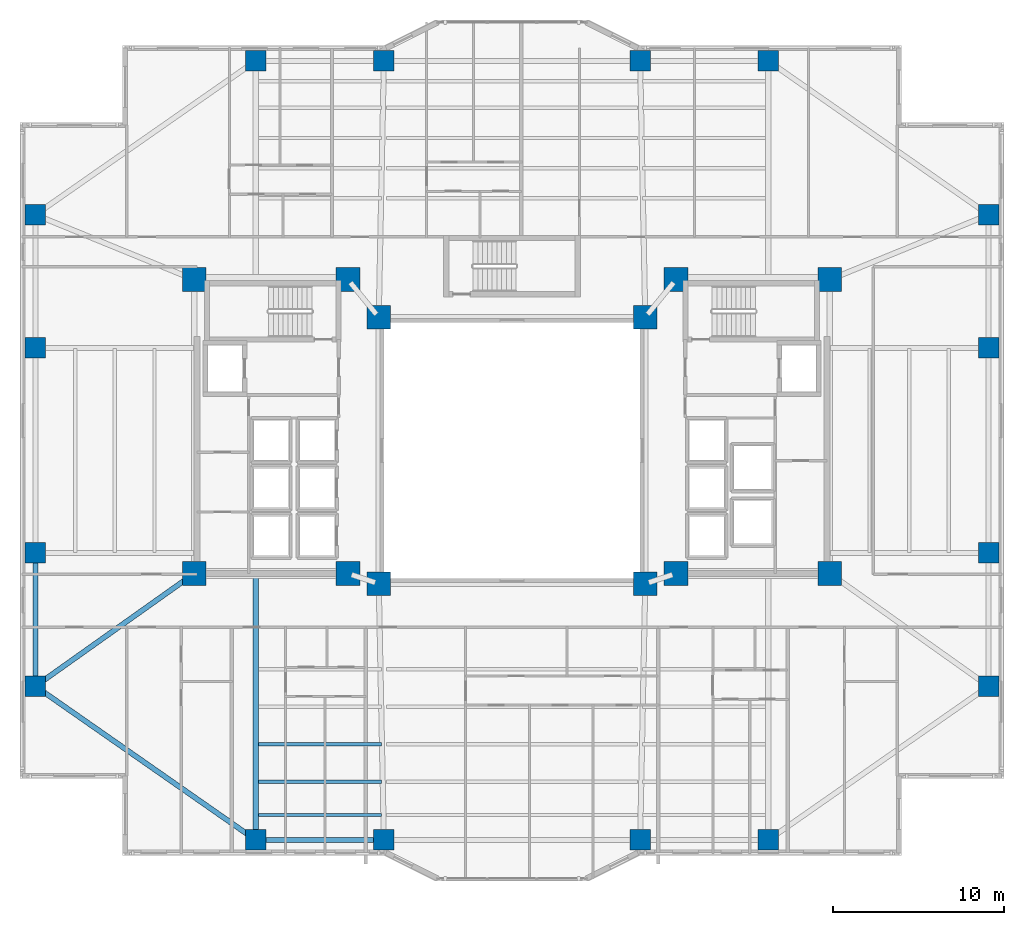
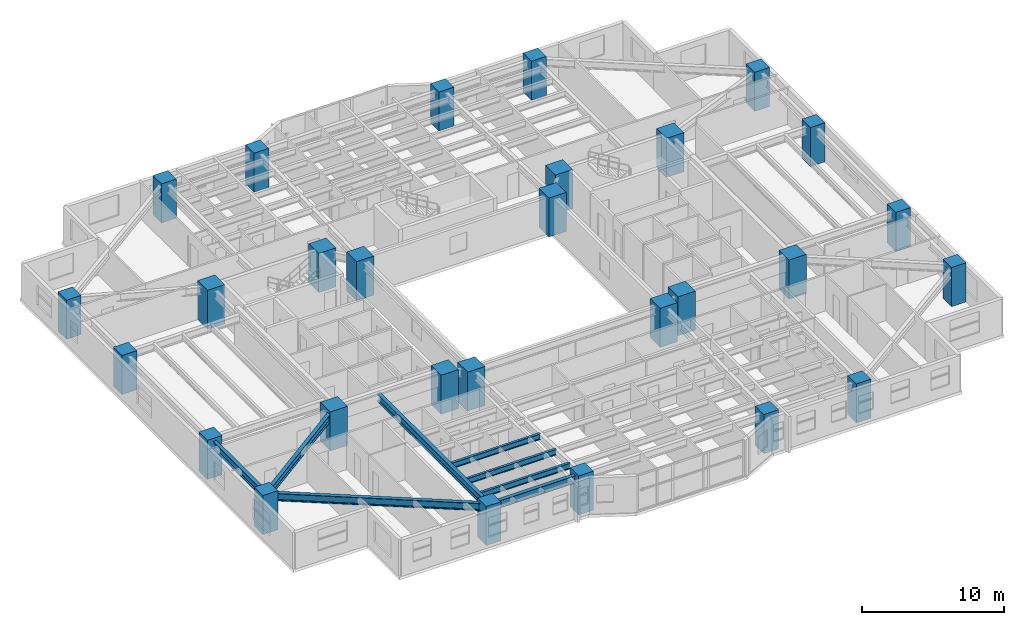
# One storey, part 1 of 21: 28 columns, 8 beams.
"""IFC4 building model written with IfcOpenShell, lengths in metres."""

from ifc_helpers import new_model, si_unit, direction, frame, origin, origin_2d, place, context, subcontext, project, spatial, rectangle, i_section, extrude, material, material_profile, profile_set, type_object, element, save


model = new_model("IFC4")

# Units and contexts
model_context = context("Model", 3, precision=1e-05, world=origin(), true_north=direction((0.0, 1.0)))
body_context = subcontext(model_context, "Body", "Model", "MODEL_VIEW")
ifc_project = project(units=[si_unit("LENGTHUNIT", "METRE"), si_unit("AREAUNIT", "SQUARE_METRE"), si_unit("VOLUMEUNIT", "CUBIC_METRE"), si_unit("PLANEANGLEUNIT", "RADIAN"), si_unit("MASSUNIT", "GRAM", prefix="KILO")], contexts=[model_context])

# Site, building, storey
site_placement = place(None, origin())
site = spatial("IfcSite", under=ifc_project, at=site_placement, CompositionType="ELEMENT")
building_placement = place(site_placement, origin())
building = spatial("IfcBuilding", under=site, at=building_placement, Name="Tarnavaz Court Tower", CompositionType="ELEMENT")
storey_placement = place(building_placement, frame((0.0, 0.0, 40.75)))
storey = spatial("IfcBuildingStorey", under=building, at=storey_placement, Name="L10", CompositionType="ELEMENT", Elevation=40.75)

# Columns
ifc_material_1 = material(Name="Concrete C60/75", Category="concrete")
ifc_material_profile_1 = material_profile(ifc_material_1, rectangle(XDim=1.199951171875, YDim=1.199951171875, at=origin_2d()), Name="RC 1200X1200")
ifc_profile_set_1 = profile_set([ifc_material_profile_1], Name="Concrete C60/75")
column_type_1 = type_object("IfcColumnType", Name="CL-RC1200", PredefinedType="COLUMN", material=ifc_profile_set_1)
for number, where, z_axis, x_axis, name in (
    (1, (-15.0, 22.800048828125, 0.0), (0.0, 0.0, 1.0), (1.0, 0.0, 0.0), "L10 Column PN-1"),
    (2, (-7.5, 22.800048828125, 0.0), (0.0, 0.0, 1.0), (1.0, 0.0, 0.0), "L10 Column PN-2"),
    (3, (7.5, 22.800048828125, 0.0), (0.0, 0.0, 1.0), (1.0, 0.0, 0.0), "L10 Column PN-3"),
    (4, (15.0, 22.800048828125, 0.0), (0.0, 0.0, 1.0), (1.0, 0.0, 0.0), "L10 Column PN-4"),
    (5, (-15.0, -22.800048828125, 0.0), (0.0, 0.0, 1.0), (1.0, 0.0, 0.0), "L10 Column PS-1"),
    (6, (-7.5, -22.800048828125, 0.0), (0.0, 0.0, 1.0), (1.0, 0.0, 0.0), "L10 Column PS-2"),
    (7, (7.5, -22.800048828125, 0.0), (0.0, 0.0, 1.0), (1.0, 0.0, 0.0), "L10 Column PS-3"),
    (8, (15.0, -22.800048828125, 0.0), (0.0, 0.0, 1.0), (1.0, 0.0, 0.0), "L10 Column PS-4"),
    (9, (27.89990234375, -13.800048828125, 0.0), (0.0, 0.0, 1.0), (1.0, 0.0, 0.0), "L10 Column PE-1"),
    (10, (27.89990234375, -6.0, 0.0), (0.0, 0.0, 1.0), (1.0, 0.0, 0.0), "L10 Column PE-2"),
    (11, (27.89990234375, 6.0, 0.0), (0.0, 0.0, 1.0), (1.0, 0.0, 0.0), "L10 Column PE-3"),
    (12, (27.89990234375, 13.800048828125, 0.0), (0.0, 0.0, 1.0), (1.0, 0.0, 0.0), "L10 Column PE-4"),
    (13, (-27.89990234375, -13.800048828125, 0.0), (0.0, 0.0, 1.0), (1.0, 0.0, 0.0), "L10 Column PW-1"),
    (14, (-27.89990234375, -6.0, 0.0), (0.0, 0.0, 1.0), (1.0, 0.0, 0.0), "L10 Column PW-2"),
    (15, (-27.89990234375, 6.0, 0.0), (0.0, 0.0, 1.0), (1.0, 0.0, 0.0), "L10 Column PW-3"),
    (16, (-27.89990234375, 13.800048828125, 0.0), (0.0, 0.0, 1.0), (1.0, 0.0, 0.0), "L10 Column PW-4"),
):
    element("IfcColumn", number, at=place(storey_placement, frame(where, z_axis=z_axis, x_axis=x_axis)), inside=storey, type_object=column_type_1, Name=name, PredefinedType="COLUMN", context=body_context, shape_type="SweptSolid", body=[
        extrude(rectangle(XDim=1.199951171875, YDim=1.199951171875, at=origin_2d()), origin(), (0.0, 0.0, 1.0), 3.35009765625),
    ])
ifc_material_profile_2 = material_profile(ifc_material_1, rectangle(XDim=1.39990234375, YDim=1.39990234375, at=origin_2d()), Name="RC 1400X1400")
ifc_profile_set_2 = profile_set([ifc_material_profile_2], Name="Concrete C60/75")
column_type_2 = type_object("IfcColumnType", Name="CL-RC1400", PredefinedType="COLUMN", material=ifc_profile_set_2)
for number, where, z_axis, x_axis, name in (
    (17, (-7.800048828125, -7.800048828125, 0.0), (0.0, 0.0, 1.0), (1.0, 0.0, 0.0), "L10 Column IW-SW"),
    (18, (7.800048828125, -7.800048828125, 0.0), (0.0, 0.0, 1.0), (1.0, 0.0, 0.0), "L10 Column IW-SE"),
    (19, (-7.800048828125, 7.800048828125, 0.0), (0.0, 0.0, 1.0), (1.0, 0.0, 0.0), "L10 Column IW-NW"),
    (20, (7.800048828125, 7.800048828125, 0.0), (0.0, 0.0, 1.0), (1.0, 0.0, 0.0), "L10 Column IW-NE"),
    (21, (-9.60009765625, -7.199951171875, 0.0), (0.0, 0.0, 1.0), (1.0, 0.0, 0.0), "L10 Column CW-SI"),
    (22, (-9.60009765625, 10.0, 0.0), (0.0, 0.0, 1.0), (1.0, 0.0, 0.0), "L10 Column CW-NI"),
    (23, (9.60009765625, -7.199951171875, 0.0), (0.0, 0.0, 1.0), (1.0, 0.0, 0.0), "L10 Column CE-SI"),
    (24, (9.60009765625, 10.0, 0.0), (0.0, 0.0, 1.0), (1.0, 0.0, 0.0), "L10 Column CE-NI"),
    (25, (-18.60009765625, -7.199951171875, 0.0), (0.0, 0.0, 1.0), (1.0, 0.0, 0.0), "L10 Column CW-SO"),
    (26, (-18.60009765625, 10.0, 0.0), (0.0, 0.0, 1.0), (1.0, 0.0, 0.0), "L10 Column CW-NO"),
    (27, (18.60009765625, -7.199951171875, 0.0), (0.0, 0.0, 1.0), (1.0, 0.0, 0.0), "L10 Column CE-SO"),
    (28, (18.60009765625, 10.0, 0.0), (0.0, 0.0, 1.0), (1.0, 0.0, 0.0), "L10 Column CE-NO"),
):
    element("IfcColumn", number, at=place(storey_placement, frame(where, z_axis=z_axis, x_axis=x_axis)), inside=storey, type_object=column_type_2, Name=name, PredefinedType="COLUMN", context=body_context, shape_type="SweptSolid", body=[
        extrude(rectangle(XDim=1.39990234375, YDim=1.39990234375, at=origin_2d()), origin(), (0.0, 0.0, 1.0), 3.35009765625),
    ])

# Beams
ifc_material_2 = material(Name="Steel S355", Category="steel")
ifc_material_profile_3 = material_profile(ifc_material_2, i_section(OverallWidth=0.300048828125, OverallDepth=0.64990234375, WebThickness=0.01611328125, FlangeThickness=0.031005859375, FilletRadius=0.027099609375, at=origin_2d()), Name="HEB 650")
ifc_profile_set_3 = profile_set([ifc_material_profile_3], Name="Steel S355")
beam_type_1 = type_object("IfcBeamType", Name="BM-G-HEB650", PredefinedType="USERDEFINED", material=ifc_profile_set_3)
beam_1_placement = place(storey_placement, frame((-15.0, -7.239990234375, 2.77490234375), z_axis=(0.0, -1.0, 0.0), x_axis=(1.0, 0.0, 0.0)))
element("IfcBeam", 29, at=beam_1_placement, inside=storey, type_object=beam_type_1, Name="L10 Beam RG-05", ObjectType="GIRDER", PredefinedType="USERDEFINED", context=body_context, shape_type="SweptSolid", body=[
    extrude(i_section(OverallWidth=0.300048828125, OverallDepth=0.64990234375, WebThickness=0.01611328125, FlangeThickness=0.031005859375, FilletRadius=0.027099609375, at=origin_2d()), origin(), (0.0, 0.0, 1.0), 15.340087890625),
])
beam_2_placement = place(storey_placement, frame((-18.779296875, -7.327392578125, 2.77490234375), z_axis=(-0.815520027245, -0.578728852886, 0.0), x_axis=(0.578728852886, -0.815520027245, 0.0)))
element("IfcBeam", 30, at=beam_2_placement, inside=storey, type_object=beam_type_1, Name="L10 Beam RG-15", ObjectType="GIRDER", PredefinedType="USERDEFINED", context=body_context, shape_type="SweptSolid", body=[
    extrude(i_section(OverallWidth=0.300048828125, OverallDepth=0.64990234375, WebThickness=0.01611328125, FlangeThickness=0.031005859375, FilletRadius=0.027099609375, at=origin_2d()), origin(), (0.0, 0.0, 1.0), 10.964111328125),
])
ifc_material_profile_4 = material_profile(ifc_material_2, i_section(OverallWidth=0.199951171875, OverallDepth=0.5, WebThickness=0.01025390625, FlangeThickness=0.01611328125, FilletRadius=0.02099609375, at=origin_2d()), Name="IPE 500")
ifc_profile_set_4 = profile_set([ifc_material_profile_4], Name="Steel S355")
beam_type_2 = type_object("IfcBeamType", Name="BM-J-IPE500", PredefinedType="JOIST", material=ifc_profile_set_4)
for number, where, z_axis, x_axis, name in (
    (31, (-14.85009765625, -17.18798828125, 2.85009765625), (1.0, 0.0, 0.0), (0.0, 1.0, 0.0), "L10 Beam JS3-1"),
    (32, (-14.85009765625, -19.384033203125, 2.85009765625), (1.0, 0.0, 0.0), (0.0, 1.0, 0.0), "L10 Beam JS4-1"),
    (33, (-14.85009765625, -21.3359375, 2.85009765625), (1.0, 0.0, 0.0), (0.0, 1.0, 0.0), "L10 Beam JS5-1"),
):
    element("IfcBeam", number, at=place(storey_placement, frame(where, z_axis=z_axis, x_axis=x_axis)), inside=storey, type_object=beam_type_2, Name=name, PredefinedType="JOIST", context=body_context, shape_type="SweptSolid", body=[
        extrude(i_section(OverallWidth=0.199951171875, OverallDepth=0.5, WebThickness=0.01025390625, FlangeThickness=0.01611328125, FilletRadius=0.02099609375, at=origin_2d()), origin(), (0.0, 0.0, 1.0), 7.2001953125),
    ])
ifc_material_profile_5 = material_profile(ifc_material_2, i_section(OverallWidth=0.300048828125, OverallDepth=0.639892578125, WebThickness=0.013427734375, FlangeThickness=0.02587890625, FilletRadius=0.027099609375, at=origin_2d()), Name="HEA 650")
ifc_profile_set_5 = profile_set([ifc_material_profile_5], Name="Steel S355")
beam_type_3 = type_object("IfcBeamType", Name="BM-SP-HEA650", PredefinedType="SPANDREL", material=ifc_profile_set_5)
beam_3_placement = place(storey_placement, frame((-14.780029296875, -22.800048828125, 2.780029296875), z_axis=(1.0, 0.0, 0.0), x_axis=(0.0, 1.0, 0.0)))
element("IfcBeam", 34, at=beam_3_placement, inside=storey, type_object=beam_type_3, Name="L10 Beam PR-PS-1-PS-2", PredefinedType="SPANDREL", context=body_context, shape_type="SweptSolid", body=[
    extrude(i_section(OverallWidth=0.300048828125, OverallDepth=0.639892578125, WebThickness=0.013427734375, FlangeThickness=0.02587890625, FilletRadius=0.027099609375, at=origin_2d()), origin(), (0.0, 0.0, 1.0), 7.06005859375),
])
beam_4_placement = place(storey_placement, frame((-27.89990234375, -13.580078125, 2.780029296875), z_axis=(0.0, 1.0, 0.0), x_axis=(-1.0, 0.0, 0.0)))
element("IfcBeam", 35, at=beam_4_placement, inside=storey, type_object=beam_type_3, Name="L10 Beam PR-PW-1-PW-2", PredefinedType="SPANDREL", context=body_context, shape_type="SweptSolid", body=[
    extrude(i_section(OverallWidth=0.300048828125, OverallDepth=0.639892578125, WebThickness=0.013427734375, FlangeThickness=0.02587890625, FilletRadius=0.027099609375, at=origin_2d()), origin(), (0.0, 0.0, 1.0), 7.360107421875),
])
beam_5_placement = place(storey_placement, frame((-15.180419921875, -22.674072265625, 2.780029296875), z_axis=(-0.820123643324, 0.572186341729, 0.0), x_axis=(-0.572186341729, -0.820123643324, 0.0)))
element("IfcBeam", 36, at=beam_5_placement, inside=storey, type_object=beam_type_3, Name="L10 Beam PR-PS-1-PW-1", PredefinedType="SPANDREL", context=body_context, shape_type="SweptSolid", body=[
    extrude(i_section(OverallWidth=0.300048828125, OverallDepth=0.639892578125, WebThickness=0.013427734375, FlangeThickness=0.02587890625, FilletRadius=0.027099609375, at=origin_2d()), origin(), (0.0, 0.0, 1.0), 15.289306640625),
])

save(model, "model.ifc")
